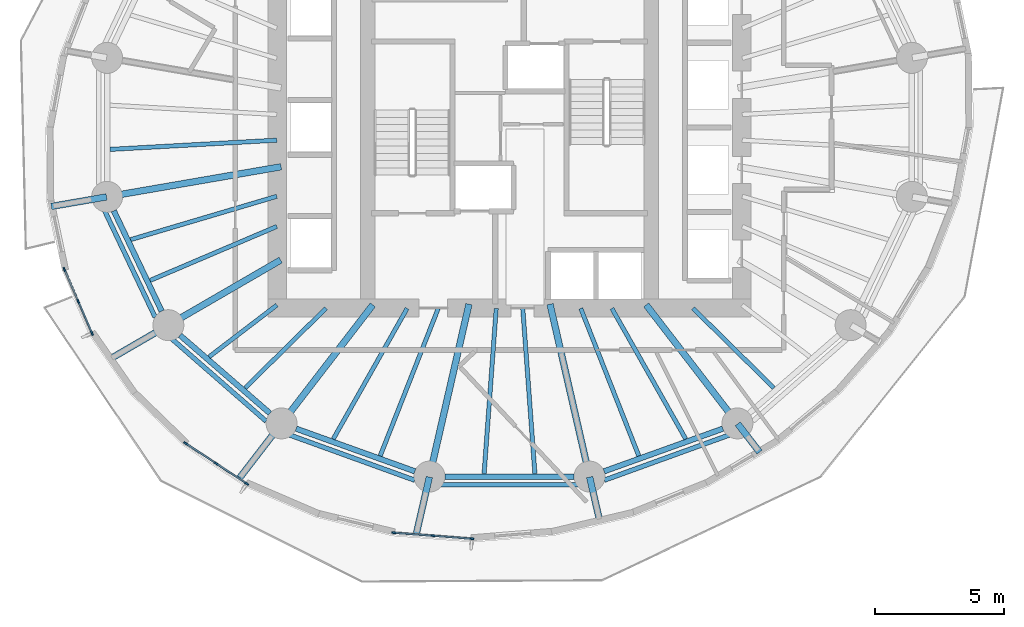
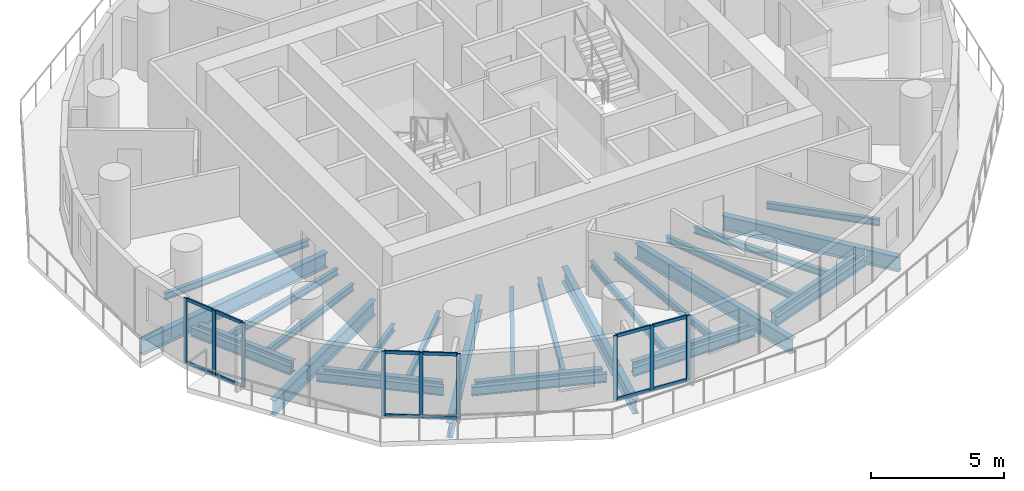
# One storey, part 2 of 14: 34 beams, 21 members, 3 elements without a shape of their own.
"""IFC4 building model written with IfcOpenShell, lengths in metres."""

from ifc_helpers import new_model, si_unit, direction, frame, origin, origin_2d, place, context, subcontext, project, spatial, rectangle, i_section, extrude, material, material_profile, profile_set, type_object, element, aggregate, save


model = new_model("IFC4")

# Units and contexts
model_context = context("Model", 3, precision=1e-05, world=origin(), true_north=direction((0.0, 1.0)))
body_context = subcontext(model_context, "Body", "Model", "MODEL_VIEW")
ifc_project = project(units=[si_unit("LENGTHUNIT", "METRE"), si_unit("AREAUNIT", "SQUARE_METRE"), si_unit("VOLUMEUNIT", "CUBIC_METRE"), si_unit("PLANEANGLEUNIT", "RADIAN"), si_unit("MASSUNIT", "GRAM", prefix="KILO")], contexts=[model_context])

# Site, building, storey
site_placement = place(None, origin())
site = spatial("IfcSite", under=ifc_project, at=site_placement, CompositionType="ELEMENT")
building_placement = place(site_placement, origin())
building = spatial("IfcBuilding", under=site, at=building_placement, Name="Veldorim Arch Residences", CompositionType="ELEMENT")
storey_placement = place(building_placement, frame((0.0, 0.0, 77.280029296875)))
storey = spatial("IfcBuildingStorey", under=building, at=storey_placement, Name="L22", CompositionType="ELEMENT", Elevation=77.280029296875)

# Beams
ifc_material_1 = material(Name="Steel S355", Category="steel")
ifc_material_profile_1 = material_profile(ifc_material_1, i_section(OverallWidth=0.2119140625, OverallDepth=0.54443359375, WebThickness=0.0126953125, FlangeThickness=0.021240234375, at=origin_2d()), Name="UB533x210x122")
ifc_profile_set_1 = profile_set([ifc_material_profile_1], Name="Steel S355")
beam_type_1 = type_object("IfcBeamType", Name="Structural Steel Beam UB533x210x122", PredefinedType="BEAM", material=ifc_profile_set_1)
beam_1_placement = place(storey_placement, frame((16.663818359375, 20.766357421875, -0.51220703125), z_axis=(0.430720154476, -0.902485539235, 0.0), x_axis=(0.902485539235, 0.430720154476, 0.0)))
element("IfcBeam", 1, at=beam_1_placement, inside=storey, type_object=beam_type_1, Name="L22 perimeter ring tie beam 09", PredefinedType="BEAM", context=body_context, shape_type="SweptSolid", body=[
    extrude(i_section(OverallWidth=0.2119140625, OverallDepth=0.54443359375, WebThickness=0.0126953125, FlangeThickness=0.021240234375, at=origin_2d()), origin(), (0.0, 0.0, 1.0), 4.312255859375),
])
beam_2_placement = place(storey_placement, frame((19.232666015625, 15.939697265625, -0.51220703125), z_axis=(0.755244952556, -0.655442645576, 0.0), x_axis=(0.655442645576, 0.755244952556, 0.0)))
element("IfcBeam", 2, at=beam_2_placement, inside=storey, type_object=beam_type_1, Name="L22 perimeter ring tie beam 10", PredefinedType="BEAM", context=body_context, shape_type="SweptSolid", body=[
    extrude(i_section(OverallWidth=0.2119140625, OverallDepth=0.54443359375, WebThickness=0.0126953125, FlangeThickness=0.021240234375, at=origin_2d()), origin(), (0.0, 0.0, 1.0), 4.608642578125),
])
beam_3_placement = place(storey_placement, frame((23.73095703125, 12.32275390625, -0.51220703125), z_axis=(0.941041944493, -0.338289903343, 0.0), x_axis=(0.338289903343, 0.941041944493, 0.0)))
element("IfcBeam", 3, at=beam_3_placement, inside=storey, type_object=beam_type_1, Name="L22 perimeter ring tie beam 11", PredefinedType="BEAM", context=body_context, shape_type="SweptSolid", body=[
    extrude(i_section(OverallWidth=0.2119140625, OverallDepth=0.54443359375, WebThickness=0.0126953125, FlangeThickness=0.021240234375, at=origin_2d()), origin(), (0.0, 0.0, 1.0), 4.890869140625),
])
beam_4_placement = place(storey_placement, frame((29.498046875, 10.465087890625, -0.51220703125), z_axis=(1.0, 0.0, 0.0), x_axis=(0.0, 1.0, 0.0)))
element("IfcBeam", 4, at=beam_4_placement, inside=storey, type_object=beam_type_1, Name="L22 perimeter ring tie beam 12", PredefinedType="BEAM", context=body_context, shape_type="SweptSolid", body=[
    extrude(i_section(OverallWidth=0.2119140625, OverallDepth=0.54443359375, WebThickness=0.0126953125, FlangeThickness=0.021240234375, at=origin_2d()), origin(), (0.0, 0.0, 1.0), 5.00390625),
])
beam_5_placement = place(storey_placement, frame((35.66650390625, 10.668212890625, -0.51220703125), z_axis=(0.941041944493, 0.338289903343, 0.0), x_axis=(-0.338289903343, 0.941041944493, 0.0)))
element("IfcBeam", 5, at=beam_5_placement, inside=storey, type_object=beam_type_1, Name="L22 perimeter ring tie beam 13", PredefinedType="BEAM", context=body_context, shape_type="SweptSolid", body=[
    extrude(i_section(OverallWidth=0.2119140625, OverallDepth=0.54443359375, WebThickness=0.0126953125, FlangeThickness=0.021240234375, at=origin_2d()), origin(), (0.0, 0.0, 1.0), 4.890869140625),
])
ifc_material_2 = material(Name="Steel S355", Category="steel")
ifc_material_profile_2 = material_profile(ifc_material_2, i_section(OverallWidth=0.25439453125, OverallDepth=0.6875, WebThickness=0.01318359375, FlangeThickness=0.02099609375, at=origin_2d()), Name="UB686x254x152")
ifc_profile_set_2 = profile_set([ifc_material_profile_2], Name="Steel S355")
beam_type_2 = type_object("IfcBeamType", Name="Structural Steel GIRDER UB686x254x152", PredefinedType="USERDEFINED", material=ifc_profile_set_2)
beam_6_placement = place(storey_placement, frame((23.147705078125, 22.4716796875, -0.583740234375), z_axis=(-0.985426622718, -0.17010106184, 0.0), x_axis=(0.17010106184, -0.985426622718, 0.0)))
element("IfcBeam", 6, at=beam_6_placement, inside=storey, type_object=beam_type_2, Name="L22 radial floor girder 09", ObjectType="GIRDER", PredefinedType="USERDEFINED", context=body_context, shape_type="SweptSolid", body=[
    extrude(i_section(OverallWidth=0.25439453125, OverallDepth=0.6875, WebThickness=0.01318359375, FlangeThickness=0.02099609375, at=origin_2d()), origin(), (0.0, 0.0, 1.0), 6.82177734375),
])
beam_7_placement = place(storey_placement, frame((16.3857421875, 21.304443359375, -0.583740234375), z_axis=(-0.985415364323, -0.170166270909, 0.0), x_axis=(0.170166270909, -0.985415364323, 0.0)))
element("IfcBeam", 7, at=beam_7_placement, inside=storey, type_object=beam_type_2, Name="L22 radial edge cantilever girder 09", ObjectType="GIRDER", PredefinedType="USERDEFINED", context=body_context, shape_type="SweptSolid", body=[
    extrude(i_section(OverallWidth=0.25439453125, OverallDepth=0.6875, WebThickness=0.01318359375, FlangeThickness=0.02099609375, at=origin_2d()), origin(), (0.0, 0.0, 1.0), 2.175048828125),
])
beam_8_placement = place(storey_placement, frame((23.1298828125, 18.85595703125, -0.583740234375), z_axis=(-0.865048957682, -0.501687453314, 0.0), x_axis=(0.501687453314, -0.865048957682, 0.0)))
element("IfcBeam", 8, at=beam_8_placement, inside=storey, type_object=beam_type_2, Name="L22 radial floor girder 10", ObjectType="GIRDER", PredefinedType="USERDEFINED", context=body_context, shape_type="SweptSolid", body=[
    extrude(i_section(OverallWidth=0.25439453125, OverallDepth=0.6875, WebThickness=0.01318359375, FlangeThickness=0.02099609375, at=origin_2d()), origin(), (0.0, 0.0, 1.0), 5.009033203125),
])
beam_9_placement = place(storey_placement, frame((18.76220703125, 16.322998046875, -0.583740234375), z_axis=(-0.86504998688, -0.501685678687, 0.0), x_axis=(0.501685678687, -0.86504998688, 0.0)))
element("IfcBeam", 9, at=beam_9_placement, inside=storey, type_object=beam_type_2, Name="L22 radial edge cantilever girder 10", ObjectType="GIRDER", PredefinedType="USERDEFINED", context=body_context, shape_type="SweptSolid", body=[
    extrude(i_section(OverallWidth=0.25439453125, OverallDepth=0.6875, WebThickness=0.01318359375, FlangeThickness=0.02099609375, at=origin_2d()), origin(), (0.0, 0.0, 1.0), 2.5927734375),
])
beam_10_placement = place(storey_placement, frame((26.702392578125, 17.118896484375, -0.583740234375), z_axis=(-0.609994628196, -0.792405548676, 0.0), x_axis=(0.792405548676, -0.609994628196, 0.0)))
element("IfcBeam", 10, at=beam_10_placement, inside=storey, type_object=beam_type_2, Name="L22 radial floor girder 11", ObjectType="GIRDER", PredefinedType="USERDEFINED", context=body_context, shape_type="SweptSolid", body=[
    extrude(i_section(OverallWidth=0.25439453125, OverallDepth=0.6875, WebThickness=0.01318359375, FlangeThickness=0.02099609375, at=origin_2d()), origin(), (0.0, 0.0, 1.0), 5.776611328125),
])
beam_11_placement = place(storey_placement, frame((23.154296875, 12.510009765625, -0.583740234375), z_axis=(-0.609966828657, -0.792426948014, 0.0), x_axis=(0.792426948014, -0.609966828657, 0.0)))
element("IfcBeam", 11, at=beam_11_placement, inside=storey, type_object=beam_type_2, Name="L22 radial edge cantilever girder 11", ObjectType="GIRDER", PredefinedType="USERDEFINED", context=body_context, shape_type="SweptSolid", body=[
    extrude(i_section(OverallWidth=0.25439453125, OverallDepth=0.6875, WebThickness=0.01318359375, FlangeThickness=0.02099609375, at=origin_2d()), origin(), (0.0, 0.0, 1.0), 2.672119140625),
])
beam_12_placement = place(storey_placement, frame((30.42919921875, 17.146240234375, -0.583740234375), z_axis=(-0.223374742148, -0.97473264261, 0.0), x_axis=(0.97473264261, -0.223374742148, 0.0)))
element("IfcBeam", 12, at=beam_12_placement, inside=storey, type_object=beam_type_2, Name="L22 radial floor girder 12", ObjectType="GIRDER", PredefinedType="USERDEFINED", context=body_context, shape_type="SweptSolid", body=[
    extrude(i_section(OverallWidth=0.25439453125, OverallDepth=0.6875, WebThickness=0.01318359375, FlangeThickness=0.02099609375, at=origin_2d()), origin(), (0.0, 0.0, 1.0), 6.834228515625),
])
beam_13_placement = place(storey_placement, frame((28.8935546875, 10.44580078125, -0.583740234375), z_axis=(-0.223344244507, -0.974739631104, 0.0), x_axis=(0.974739631104, -0.223344244507, 0.0)))
element("IfcBeam", 13, at=beam_13_placement, inside=storey, type_object=beam_type_2, Name="L22 radial edge cantilever girder 12", ObjectType="GIRDER", PredefinedType="USERDEFINED", context=body_context, shape_type="SweptSolid", body=[
    extrude(i_section(OverallWidth=0.25439453125, OverallDepth=0.6875, WebThickness=0.01318359375, FlangeThickness=0.02099609375, at=origin_2d()), origin(), (0.0, 0.0, 1.0), 2.271484375),
])
beam_14_placement = place(storey_placement, frame((33.57080078125, 17.146240234375, -0.583740234375), z_axis=(0.223374742148, -0.97473264261, 0.0), x_axis=(0.97473264261, 0.223374742148, 0.0)))
element("IfcBeam", 14, at=beam_14_placement, inside=storey, type_object=beam_type_2, Name="L22 radial floor girder 13", ObjectType="GIRDER", PredefinedType="USERDEFINED", context=body_context, shape_type="SweptSolid", body=[
    extrude(i_section(OverallWidth=0.25439453125, OverallDepth=0.6875, WebThickness=0.01318359375, FlangeThickness=0.02099609375, at=origin_2d()), origin(), (0.0, 0.0, 1.0), 6.834228515625),
])
beam_15_placement = place(storey_placement, frame((35.1064453125, 10.44580078125, -0.583740234375), z_axis=(0.223279477519, -0.974754469043, 0.0), x_axis=(0.974754469043, 0.223279477519, 0.0)))
element("IfcBeam", 15, at=beam_15_placement, inside=storey, type_object=beam_type_2, Name="L22 radial edge cantilever girder 13", ObjectType="GIRDER", PredefinedType="USERDEFINED", context=body_context, shape_type="SweptSolid", body=[
    extrude(i_section(OverallWidth=0.25439453125, OverallDepth=0.6875, WebThickness=0.01318359375, FlangeThickness=0.02099609375, at=origin_2d()), origin(), (0.0, 0.0, 1.0), 1.74951171875),
])
beam_16_placement = place(storey_placement, frame((37.297607421875, 17.118896484375, -0.583740234375), z_axis=(0.609994628196, -0.792405548676, 0.0), x_axis=(0.792405548676, 0.609994628196, 0.0)))
element("IfcBeam", 16, at=beam_16_placement, inside=storey, type_object=beam_type_2, Name="L22 radial floor girder 14", ObjectType="GIRDER", PredefinedType="USERDEFINED", context=body_context, shape_type="SweptSolid", body=[
    extrude(i_section(OverallWidth=0.25439453125, OverallDepth=0.6875, WebThickness=0.01318359375, FlangeThickness=0.02099609375, at=origin_2d()), origin(), (0.0, 0.0, 1.0), 5.776611328125),
])
beam_17_placement = place(storey_placement, frame((40.845703125, 12.510009765625, -0.583740234375), z_axis=(0.609991800873, -0.792407725144, 0.0), x_axis=(0.792407725144, 0.609991800873, 0.0)))
element("IfcBeam", 17, at=beam_17_placement, inside=storey, type_object=beam_type_2, Name="L22 radial edge cantilever girder 14", ObjectType="GIRDER", PredefinedType="USERDEFINED", context=body_context, shape_type="SweptSolid", body=[
    extrude(i_section(OverallWidth=0.25439453125, OverallDepth=0.6875, WebThickness=0.01318359375, FlangeThickness=0.02099609375, at=origin_2d()), origin(), (0.0, 0.0, 1.0), 1.38525390625),
])
ifc_material_3 = material(Name="Steel S355", Category="steel")
ifc_material_profile_3 = material_profile(ifc_material_3, i_section(OverallWidth=0.165771484375, OverallDepth=0.306640625, WebThickness=0.006591796875, FlangeThickness=0.01171875, at=origin_2d()), Name="UB305x165x46")
ifc_profile_set_3 = profile_set([ifc_material_profile_3], Name="Steel S355")
beam_type_3 = type_object("IfcBeamType", Name="Structural Steel Joist UB305x165x46", PredefinedType="JOIST", material=ifc_profile_set_3)
beam_18_placement = place(storey_placement, frame((22.97998046875, 23.501708984375, -0.393310546875), z_axis=(-0.99847713097, -0.055167190702, 0.0), x_axis=(0.055167190702, -0.99847713097, 0.0)))
element("IfcBeam", 18, at=beam_18_placement, inside=storey, type_object=beam_type_3, Name="L22 secondary radial floor joist 08-2", PredefinedType="JOIST", context=body_context, shape_type="SweptSolid", body=[
    extrude(i_section(OverallWidth=0.165771484375, OverallDepth=0.306640625, WebThickness=0.006591796875, FlangeThickness=0.01171875, at=origin_2d()), origin(), (0.0, 0.0, 1.0), 6.474365234375),
])
beam_19_placement = place(storey_placement, frame((22.980712890625, 21.326416015625, -0.393310546875), z_axis=(-0.958753061488, -0.284240333324, 0.0), x_axis=(0.284240333324, -0.958753061488, 0.0)))
element("IfcBeam", 19, at=beam_19_placement, inside=storey, type_object=beam_type_3, Name="L22 secondary radial floor joist 09-1", PredefinedType="JOIST", context=body_context, shape_type="SweptSolid", body=[
    extrude(i_section(OverallWidth=0.165771484375, OverallDepth=0.306640625, WebThickness=0.006591796875, FlangeThickness=0.01171875, at=origin_2d()), origin(), (0.0, 0.0, 1.0), 5.906005859375),
])
beam_20_placement = place(storey_placement, frame((22.981689453125, 20.158447265625, -0.393310546875), z_axis=(-0.919997395122, -0.391924473552, 0.0), x_axis=(0.391924473552, -0.919997395122, 0.0)))
element("IfcBeam", 20, at=beam_20_placement, inside=storey, type_object=beam_type_3, Name="L22 secondary radial floor joist 09-2", PredefinedType="JOIST", context=body_context, shape_type="SweptSolid", body=[
    extrude(i_section(OverallWidth=0.165771484375, OverallDepth=0.306640625, WebThickness=0.006591796875, FlangeThickness=0.01171875, at=origin_2d()), origin(), (0.0, 0.0, 1.0), 5.334716796875),
])
beam_21_placement = place(storey_placement, frame((22.984130859375, 17.111572265625, -0.393310546875), z_axis=(-0.794594763594, -0.60714014994, 0.0), x_axis=(0.60714014994, -0.794594763594, 0.0)))
element("IfcBeam", 21, at=beam_21_placement, inside=storey, type_object=beam_type_3, Name="L22 secondary radial floor joist 10-1", PredefinedType="JOIST", context=body_context, shape_type="SweptSolid", body=[
    extrude(i_section(OverallWidth=0.165771484375, OverallDepth=0.306640625, WebThickness=0.006591796875, FlangeThickness=0.01171875, at=origin_2d()), origin(), (0.0, 0.0, 1.0), 3.30419921875),
])
beam_22_placement = place(storey_placement, frame((24.885986328125, 16.986083984375, -0.393310546875), z_axis=(-0.712111629941, -0.702066255066, 0.0), x_axis=(0.702066255066, -0.712111629941, 0.0)))
element("IfcBeam", 22, at=beam_22_placement, inside=storey, type_object=beam_type_3, Name="L22 secondary radial floor joist 10-2", PredefinedType="JOIST", context=body_context, shape_type="SweptSolid", body=[
    extrude(i_section(OverallWidth=0.165771484375, OverallDepth=0.306640625, WebThickness=0.006591796875, FlangeThickness=0.01171875, at=origin_2d()), origin(), (0.0, 0.0, 1.0), 4.39892578125),
])
beam_23_placement = place(storey_placement, frame((28.03173828125, 16.982666015625, -0.393310546875), z_axis=(-0.492227411199, -0.870466642476, 0.0), x_axis=(0.870466642476, -0.492227411199, 0.0)))
element("IfcBeam", 23, at=beam_23_placement, inside=storey, type_object=beam_type_3, Name="L22 secondary radial floor joist 11-1", PredefinedType="JOIST", context=body_context, shape_type="SweptSolid", body=[
    extrude(i_section(OverallWidth=0.165771484375, OverallDepth=0.306640625, WebThickness=0.006591796875, FlangeThickness=0.01171875, at=origin_2d()), origin(), (0.0, 0.0, 1.0), 5.81494140625),
])
beam_24_placement = place(storey_placement, frame((29.238037109375, 16.9814453125, -0.393310546875), z_axis=(-0.366194870364, -0.930538186707, 0.0), x_axis=(0.930538186707, -0.366194870364, 0.0)))
element("IfcBeam", 24, at=beam_24_placement, inside=storey, type_object=beam_type_3, Name="L22 secondary radial floor joist 11-2", PredefinedType="JOIST", context=body_context, shape_type="SweptSolid", body=[
    extrude(i_section(OverallWidth=0.165771484375, OverallDepth=0.306640625, WebThickness=0.006591796875, FlangeThickness=0.01171875, at=origin_2d()), origin(), (0.0, 0.0, 1.0), 6.1396484375),
])
for number, where, z_axis, x_axis, name in (
    (25, (31.485107421875, 16.97998046875, -0.393310546875), (-0.073143494169, -0.997321427254, 0.0), (0.997321427254, -0.073143494169, 0.0), "L22 secondary radial floor joist 12-1"),
    (26, (32.514892578125, 16.97998046875, -0.393310546875), (0.073143494169, -0.997321427254, 0.0), (0.997321427254, 0.073143494169, 0.0), "L22 secondary radial floor joist 12-2"),
):
    element("IfcBeam", number, at=place(storey_placement, frame(where, z_axis=z_axis, x_axis=x_axis)), inside=storey, type_object=beam_type_3, Name=name, PredefinedType="JOIST", context=body_context, shape_type="SweptSolid", body=[
        extrude(i_section(OverallWidth=0.165771484375, OverallDepth=0.306640625, WebThickness=0.006591796875, FlangeThickness=0.01171875, at=origin_2d()), origin(), (0.0, 0.0, 1.0), 6.421875),
    ])
beam_25_placement = place(storey_placement, frame((34.761962890625, 16.9814453125, -0.393310546875), z_axis=(0.366194870364, -0.930538186707, 0.0), x_axis=(0.930538186707, 0.366194870364, 0.0)))
element("IfcBeam", 27, at=beam_25_placement, inside=storey, type_object=beam_type_3, Name="L22 secondary radial floor joist 13-1", PredefinedType="JOIST", context=body_context, shape_type="SweptSolid", body=[
    extrude(i_section(OverallWidth=0.165771484375, OverallDepth=0.306640625, WebThickness=0.006591796875, FlangeThickness=0.01171875, at=origin_2d()), origin(), (0.0, 0.0, 1.0), 6.1396484375),
])
beam_26_placement = place(storey_placement, frame((35.96826171875, 16.982666015625, -0.393310546875), z_axis=(0.492227411199, -0.870466642476, 0.0), x_axis=(0.870466642476, 0.492227411199, 0.0)))
element("IfcBeam", 28, at=beam_26_placement, inside=storey, type_object=beam_type_3, Name="L22 secondary radial floor joist 13-2", PredefinedType="JOIST", context=body_context, shape_type="SweptSolid", body=[
    extrude(i_section(OverallWidth=0.165771484375, OverallDepth=0.306640625, WebThickness=0.006591796875, FlangeThickness=0.01171875, at=origin_2d()), origin(), (0.0, 0.0, 1.0), 5.81494140625),
])
beam_27_placement = place(storey_placement, frame((39.114013671875, 16.986083984375, -0.393310546875), z_axis=(0.712111629941, -0.702066255066, 0.0), x_axis=(0.702066255066, 0.712111629941, 0.0)))
element("IfcBeam", 29, at=beam_27_placement, inside=storey, type_object=beam_type_3, Name="L22 secondary radial floor joist 14-1", PredefinedType="JOIST", context=body_context, shape_type="SweptSolid", body=[
    extrude(i_section(OverallWidth=0.165771484375, OverallDepth=0.306640625, WebThickness=0.006591796875, FlangeThickness=0.01171875, at=origin_2d()), origin(), (0.0, 0.0, 1.0), 4.39892578125),
])
ifc_material_4 = material(Name="Steel S355", Category="steel")
ifc_material_profile_4 = material_profile(ifc_material_4, i_section(OverallWidth=0.1787109375, OverallDepth=0.409423828125, WebThickness=0.0087890625, FlangeThickness=0.014404296875, at=origin_2d()), Name="UB406x178x67")
ifc_profile_set_4 = profile_set([ifc_material_profile_4], Name="Steel S355")
beam_type_4 = type_object("IfcBeamType", Name="Structural Steel Spandrel UB406x178x67", PredefinedType="SPANDREL", material=ifc_profile_set_4)
beam_28_placement = place(storey_placement, frame((16.306884765625, 20.774658203125, -0.46484375), z_axis=(0.428857472204, -0.903372165021, 0.0), x_axis=(0.903372165021, 0.428857472204, 0.0)))
element("IfcBeam", 30, at=beam_28_placement, inside=storey, type_object=beam_type_4, Name="L22 perimeter chord spandrel beam 09", PredefinedType="SPANDREL", context=body_context, shape_type="SweptSolid", body=[
    extrude(i_section(OverallWidth=0.1787109375, OverallDepth=0.409423828125, WebThickness=0.0087890625, FlangeThickness=0.014404296875, at=origin_2d()), origin(), (0.0, 0.0, 1.0), 4.572021484375),
])
beam_29_placement = place(storey_placement, frame((18.891845703125, 15.8203125, -0.46484375), z_axis=(0.753323239074, -0.65765043714, 0.0), x_axis=(0.65765043714, 0.753323239074, 0.0)))
element("IfcBeam", 31, at=beam_29_placement, inside=storey, type_object=beam_type_4, Name="L22 perimeter chord spandrel beam 10", PredefinedType="SPANDREL", context=body_context, shape_type="SweptSolid", body=[
    extrude(i_section(OverallWidth=0.1787109375, OverallDepth=0.409423828125, WebThickness=0.0087890625, FlangeThickness=0.014404296875, at=origin_2d()), origin(), (0.0, 0.0, 1.0), 4.879150390625),
])
beam_30_placement = place(storey_placement, frame((23.461669921875, 12.08447265625, -0.46484375), z_axis=(0.940307501418, -0.340326024244, 0.0), x_axis=(0.340326024244, 0.940307501418, 0.0)))
element("IfcBeam", 32, at=beam_30_placement, inside=storey, type_object=beam_type_4, Name="L22 perimeter chord spandrel beam 11", PredefinedType="SPANDREL", context=body_context, shape_type="SweptSolid", body=[
    extrude(i_section(OverallWidth=0.1787109375, OverallDepth=0.409423828125, WebThickness=0.0087890625, FlangeThickness=0.014404296875, at=origin_2d()), origin(), (0.0, 0.0, 1.0), 5.175048828125),
])
beam_31_placement = place(storey_placement, frame((29.352294921875, 10.1435546875, -0.46484375), z_axis=(1.0, 0.0, 0.0), x_axis=(0.0, 1.0, 0.0)))
element("IfcBeam", 33, at=beam_31_placement, inside=storey, type_object=beam_type_4, Name="L22 perimeter chord spandrel beam 12", PredefinedType="SPANDREL", context=body_context, shape_type="SweptSolid", body=[
    extrude(i_section(OverallWidth=0.1787109375, OverallDepth=0.409423828125, WebThickness=0.0087890625, FlangeThickness=0.014404296875, at=origin_2d()), origin(), (0.0, 0.0, 1.0), 5.29541015625),
])
beam_32_placement = place(storey_placement, frame((35.672119140625, 10.3232421875, -0.46484375), z_axis=(0.940307501418, 0.340326024244, 0.0), x_axis=(-0.340326024244, 0.940307501418, 0.0)))
element("IfcBeam", 34, at=beam_32_placement, inside=storey, type_object=beam_type_4, Name="L22 perimeter chord spandrel beam 13", PredefinedType="SPANDREL", context=body_context, shape_type="SweptSolid", body=[
    extrude(i_section(OverallWidth=0.1787109375, OverallDepth=0.409423828125, WebThickness=0.0087890625, FlangeThickness=0.014404296875, at=origin_2d()), origin(), (0.0, 0.0, 1.0), 5.175048828125),
])

# Curtain wall, members
ifc_material_5 = material(Name="Aluminium", Category="aluminium")
curtain_wall_type = type_object("IfcCurtainWallType", Name="Zone 2 Solar-Control Unitised Curtain Wall", PredefinedType="NOTDEFINED", material=ifc_material_5)
curtain_wall_1_placement = place(storey_placement, origin())
curtain_wall_1 = element("IfcCurtainWall", 35, at=curtain_wall_1_placement, inside=storey, type_object=curtain_wall_type, Name="L22 unitised curtain wall bay 19", PredefinedType="NOTDEFINED")
ifc_material_6 = material(Name="Aluminium", Category="aluminium")
ifc_material_profile_5 = material_profile(ifc_material_6, rectangle(XDim=0.06494140625, YDim=0.1650390625, at=origin_2d()), Name="ALU_MUL_65x165")
ifc_profile_set_5 = profile_set([ifc_material_profile_5], Name="Aluminium")
member_type_1 = type_object("IfcMemberType", Name="Zone 2 Solar-Control Unitised Curtain Wall Mullion 65x165", PredefinedType="MULLION", material=ifc_profile_set_5)
member_1_placement = place(storey_placement, frame((15.8203125, 16.01953125, 0.0), z_axis=(0.0, 0.0, 1.0), x_axis=(-0.917796682643, -0.397050688615, 0.0)))
member_1 = element("IfcMember", 36, at=member_1_placement, type_object=member_type_1, Name="CW-Z2 mullion 1", PredefinedType="MULLION", context=body_context, shape_type="SweptSolid", body=[
    extrude(rectangle(XDim=0.06494140625, YDim=0.1650390625, at=origin_2d()), origin(), (0.0, 0.0, 1.0), 2.9599609375),
])
member_2_placement = place(storey_placement, frame((15.285888671875, 17.255126953125, 0.0), z_axis=(0.0, 0.0, 1.0), x_axis=(-0.917796682643, -0.397050688615, 0.0)))
member_2 = element("IfcMember", 37, at=member_2_placement, type_object=member_type_1, Name="CW-Z2 mullion 2", PredefinedType="MULLION", context=body_context, shape_type="SweptSolid", body=[
    extrude(rectangle(XDim=0.06494140625, YDim=0.1650390625, at=origin_2d()), origin(), (0.0, 0.0, 1.0), 2.9599609375),
])
member_3_placement = place(storey_placement, frame((14.751220703125, 18.49072265625, 0.0), z_axis=(0.0, 0.0, 1.0), x_axis=(-0.917796682643, -0.397050688615, 0.0)))
member_3 = element("IfcMember", 38, at=member_3_placement, type_object=member_type_1, Name="CW-Z2 mullion 3", PredefinedType="MULLION", context=body_context, shape_type="SweptSolid", body=[
    extrude(rectangle(XDim=0.06494140625, YDim=0.1650390625, at=origin_2d()), origin(), (0.0, 0.0, 1.0), 2.9599609375),
])

curtain_wall_2_placement = place(storey_placement, origin())
curtain_wall_2 = element("IfcCurtainWall", 39, at=curtain_wall_2_placement, inside=storey, type_object=curtain_wall_type, Name="L22 unitised curtain wall bay 22", PredefinedType="NOTDEFINED")
member_4_placement = place(storey_placement, frame((21.813720703125, 10.189697265625, 0.0), z_axis=(0.0, 0.0, 1.0), x_axis=(-0.551503414596, -0.834172634224, 0.0)))
member_4 = element("IfcMember", 40, at=member_4_placement, type_object=member_type_1, Name="CW-Z2 mullion 1", PredefinedType="MULLION", context=body_context, shape_type="SweptSolid", body=[
    extrude(rectangle(XDim=0.06494140625, YDim=0.1650390625, at=origin_2d()), origin(), (0.0, 0.0, 1.0), 2.9599609375),
])
member_5_placement = place(storey_placement, frame((20.6318359375, 10.970947265625, 0.0), z_axis=(0.0, 0.0, 1.0), x_axis=(-0.551503414596, -0.834172634224, 0.0)))
member_5 = element("IfcMember", 41, at=member_5_placement, type_object=member_type_1, Name="CW-Z2 mullion 2", PredefinedType="MULLION", context=body_context, shape_type="SweptSolid", body=[
    extrude(rectangle(XDim=0.06494140625, YDim=0.1650390625, at=origin_2d()), origin(), (0.0, 0.0, 1.0), 2.9599609375),
])
member_6_placement = place(storey_placement, frame((19.4501953125, 11.752197265625, 0.0), z_axis=(0.0, 0.0, 1.0), x_axis=(-0.551503414596, -0.834172634224, 0.0)))
member_6 = element("IfcMember", 42, at=member_6_placement, type_object=member_type_1, Name="CW-Z2 mullion 3", PredefinedType="MULLION", context=body_context, shape_type="SweptSolid", body=[
    extrude(rectangle(XDim=0.06494140625, YDim=0.1650390625, at=origin_2d()), origin(), (0.0, 0.0, 1.0), 2.9599609375),
])

curtain_wall_3_placement = place(storey_placement, origin())
curtain_wall_3 = element("IfcCurtainWall", 43, at=curtain_wall_3_placement, inside=storey, type_object=curtain_wall_type, Name="L22 unitised curtain wall bay 25", PredefinedType="NOTDEFINED")
member_7_placement = place(storey_placement, frame((30.54150390625, 8.056884765625, 0.0), z_axis=(0.0, 0.0, 1.0), x_axis=(-0.076696498885, -0.997054485502, 0.0)))
member_7 = element("IfcMember", 44, at=member_7_placement, type_object=member_type_1, Name="CW-Z2 mullion 1", PredefinedType="MULLION", context=body_context, shape_type="SweptSolid", body=[
    extrude(rectangle(XDim=0.06494140625, YDim=0.1650390625, at=origin_2d()), origin(), (0.0, 0.0, 1.0), 2.9599609375),
])
member_8_placement = place(storey_placement, frame((29.027587890625, 8.17333984375, 0.0), z_axis=(0.0, 0.0, 1.0), x_axis=(-0.076696498885, -0.997054485502, 0.0)))
member_8 = element("IfcMember", 45, at=member_8_placement, type_object=member_type_1, Name="CW-Z2 mullion 2", PredefinedType="MULLION", context=body_context, shape_type="SweptSolid", body=[
    extrude(rectangle(XDim=0.06494140625, YDim=0.1650390625, at=origin_2d()), origin(), (0.0, 0.0, 1.0), 2.9599609375),
])
member_9_placement = place(storey_placement, frame((27.513671875, 8.289794921875, 0.0), z_axis=(0.0, 0.0, 1.0), x_axis=(-0.076696498885, -0.997054485502, 0.0)))
member_9 = element("IfcMember", 46, at=member_9_placement, type_object=member_type_1, Name="CW-Z2 mullion 3", PredefinedType="MULLION", context=body_context, shape_type="SweptSolid", body=[
    extrude(rectangle(XDim=0.06494140625, YDim=0.1650390625, at=origin_2d()), origin(), (0.0, 0.0, 1.0), 2.9599609375),
])

# Member
ifc_material_7 = material(Name="Aluminium", Category="aluminium")
ifc_material_profile_6 = material_profile(ifc_material_7, rectangle(XDim=0.06494140625, YDim=0.14501953125, at=origin_2d()), Name="ALU_TRN_65x145")
ifc_profile_set_6 = profile_set([ifc_material_profile_6], Name="Aluminium")
member_type_2 = type_object("IfcMemberType", Name="Zone 2 Solar-Control Unitised Curtain Wall Transom 65x145", PredefinedType="USERDEFINED", material=ifc_profile_set_6)
member_10_placement = place(storey_placement, frame((15.807373046875, 16.04931640625, 0.032470703125), z_axis=(-0.396906812101, 0.917858912093, 0.0), x_axis=(-0.917858912093, -0.396906812101, 0.0)))
member_10 = element("IfcMember", 47, at=member_10_placement, type_object=member_type_2, Name="CW-Z2 transom 1.1", ObjectType="TRANSOM", PredefinedType="USERDEFINED", context=body_context, shape_type="SweptSolid", body=[
    extrude(rectangle(XDim=0.06494140625, YDim=0.14501953125, at=origin_2d()), origin(), (0.0, 0.0, 1.0), 1.28125),
])

member_11_placement = place(storey_placement, frame((15.807373046875, 16.04931640625, 2.927490234375), z_axis=(-0.396906812101, 0.917858912093, 0.0), x_axis=(-0.917858912093, -0.396906812101, 0.0)))
member_11 = element("IfcMember", 48, at=member_11_placement, type_object=member_type_2, Name="CW-Z2 transom 1.2", ObjectType="TRANSOM", PredefinedType="USERDEFINED", context=body_context, shape_type="SweptSolid", body=[
    extrude(rectangle(XDim=0.06494140625, YDim=0.14501953125, at=origin_2d()), origin(), (0.0, 0.0, 1.0), 1.28125),
])

member_12_placement = place(storey_placement, frame((15.27294921875, 17.284912109375, 0.032470703125), z_axis=(-0.397067322017, 0.91778948664, 0.0), x_axis=(-0.91778948664, -0.397067322017, 0.0)))
member_12 = element("IfcMember", 49, at=member_12_placement, type_object=member_type_2, Name="CW-Z2 transom 2.1", ObjectType="TRANSOM", PredefinedType="USERDEFINED", context=body_context, shape_type="SweptSolid", body=[
    extrude(rectangle(XDim=0.06494140625, YDim=0.14501953125, at=origin_2d()), origin(), (0.0, 0.0, 1.0), 1.28125),
])

member_13_placement = place(storey_placement, frame((15.27294921875, 17.284912109375, 2.927490234375), z_axis=(-0.397067322017, 0.91778948664, 0.0), x_axis=(-0.91778948664, -0.397067322017, 0.0)))
member_13 = element("IfcMember", 50, at=member_13_placement, type_object=member_type_2, Name="CW-Z2 transom 2.2", ObjectType="TRANSOM", PredefinedType="USERDEFINED", context=body_context, shape_type="SweptSolid", body=[
    extrude(rectangle(XDim=0.06494140625, YDim=0.14501953125, at=origin_2d()), origin(), (0.0, 0.0, 1.0), 1.28125),
])

aggregate(curtain_wall_1, [member_1, member_2, member_3, member_10, member_11, member_12, member_13])

member_14_placement = place(storey_placement, frame((21.78662109375, 10.20751953125, 0.032470703125), z_axis=(-0.834155806589, 0.551528866275, 0.0), x_axis=(-0.551528866275, -0.834155806589, 0.0)))
member_14 = element("IfcMember", 51, at=member_14_placement, type_object=member_type_2, Name="CW-Z2 transom 1.1", ObjectType="TRANSOM", PredefinedType="USERDEFINED", context=body_context, shape_type="SweptSolid", body=[
    extrude(rectangle(XDim=0.06494140625, YDim=0.14501953125, at=origin_2d()), origin(), (0.0, 0.0, 1.0), 1.351806640625),
])

member_15_placement = place(storey_placement, frame((21.78662109375, 10.20751953125, 2.927490234375), z_axis=(-0.834155806589, 0.551528866275, 0.0), x_axis=(-0.551528866275, -0.834155806589, 0.0)))
member_15 = element("IfcMember", 52, at=member_15_placement, type_object=member_type_2, Name="CW-Z2 transom 1.2", ObjectType="TRANSOM", PredefinedType="USERDEFINED", context=body_context, shape_type="SweptSolid", body=[
    extrude(rectangle(XDim=0.06494140625, YDim=0.14501953125, at=origin_2d()), origin(), (0.0, 0.0, 1.0), 1.351806640625),
])

member_16_placement = place(storey_placement, frame((20.604736328125, 10.98876953125, 0.032470703125), z_axis=(-0.834100860871, 0.551611959528, 0.0), x_axis=(-0.551611959528, -0.834100860871, 0.0)))
member_16 = element("IfcMember", 53, at=member_16_placement, type_object=member_type_2, Name="CW-Z2 transom 2.1", ObjectType="TRANSOM", PredefinedType="USERDEFINED", context=body_context, shape_type="SweptSolid", body=[
    extrude(rectangle(XDim=0.06494140625, YDim=0.14501953125, at=origin_2d()), origin(), (0.0, 0.0, 1.0), 1.351806640625),
])

member_17_placement = place(storey_placement, frame((20.604736328125, 10.98876953125, 2.927490234375), z_axis=(-0.834100860871, 0.551611959528, 0.0), x_axis=(-0.551611959528, -0.834100860871, 0.0)))
member_17 = element("IfcMember", 54, at=member_17_placement, type_object=member_type_2, Name="CW-Z2 transom 2.2", ObjectType="TRANSOM", PredefinedType="USERDEFINED", context=body_context, shape_type="SweptSolid", body=[
    extrude(rectangle(XDim=0.06494140625, YDim=0.14501953125, at=origin_2d()), origin(), (0.0, 0.0, 1.0), 1.351806640625),
])

aggregate(curtain_wall_2, [member_4, member_5, member_6, member_14, member_15, member_16, member_17])

member_18_placement = place(storey_placement, frame((30.50927734375, 8.059326171875, 0.032470703125), z_axis=(-0.99704954324, 0.076760721237, 0.0), x_axis=(-0.076760721237, -0.99704954324, 0.0)))
member_18 = element("IfcMember", 55, at=member_18_placement, type_object=member_type_2, Name="CW-Z2 transom 1.1", ObjectType="TRANSOM", PredefinedType="USERDEFINED", context=body_context, shape_type="SweptSolid", body=[
    extrude(rectangle(XDim=0.06494140625, YDim=0.14501953125, at=origin_2d()), origin(), (0.0, 0.0, 1.0), 1.45361328125),
])

member_19_placement = place(storey_placement, frame((30.50927734375, 8.059326171875, 2.927490234375), z_axis=(-0.99704954324, 0.076760721237, 0.0), x_axis=(-0.076760721237, -0.99704954324, 0.0)))
member_19 = element("IfcMember", 56, at=member_19_placement, type_object=member_type_2, Name="CW-Z2 transom 1.2", ObjectType="TRANSOM", PredefinedType="USERDEFINED", context=body_context, shape_type="SweptSolid", body=[
    extrude(rectangle(XDim=0.06494140625, YDim=0.14501953125, at=origin_2d()), origin(), (0.0, 0.0, 1.0), 1.45361328125),
])

member_20_placement = place(storey_placement, frame((28.995361328125, 8.17578125, 0.032470703125), z_axis=(-0.99704954324, 0.076760721237, 0.0), x_axis=(-0.076760721237, -0.99704954324, 0.0)))
member_20 = element("IfcMember", 57, at=member_20_placement, type_object=member_type_2, Name="CW-Z2 transom 2.1", ObjectType="TRANSOM", PredefinedType="USERDEFINED", context=body_context, shape_type="SweptSolid", body=[
    extrude(rectangle(XDim=0.06494140625, YDim=0.14501953125, at=origin_2d()), origin(), (0.0, 0.0, 1.0), 1.45361328125),
])

member_21_placement = place(storey_placement, frame((28.995361328125, 8.17578125, 2.927490234375), z_axis=(-0.99704954324, 0.076760721237, 0.0), x_axis=(-0.076760721237, -0.99704954324, 0.0)))
member_21 = element("IfcMember", 58, at=member_21_placement, type_object=member_type_2, Name="CW-Z2 transom 2.2", ObjectType="TRANSOM", PredefinedType="USERDEFINED", context=body_context, shape_type="SweptSolid", body=[
    extrude(rectangle(XDim=0.06494140625, YDim=0.14501953125, at=origin_2d()), origin(), (0.0, 0.0, 1.0), 1.45361328125),
])

aggregate(curtain_wall_3, [member_7, member_8, member_9, member_18, member_19, member_20, member_21])

save(model, "model.ifc")
